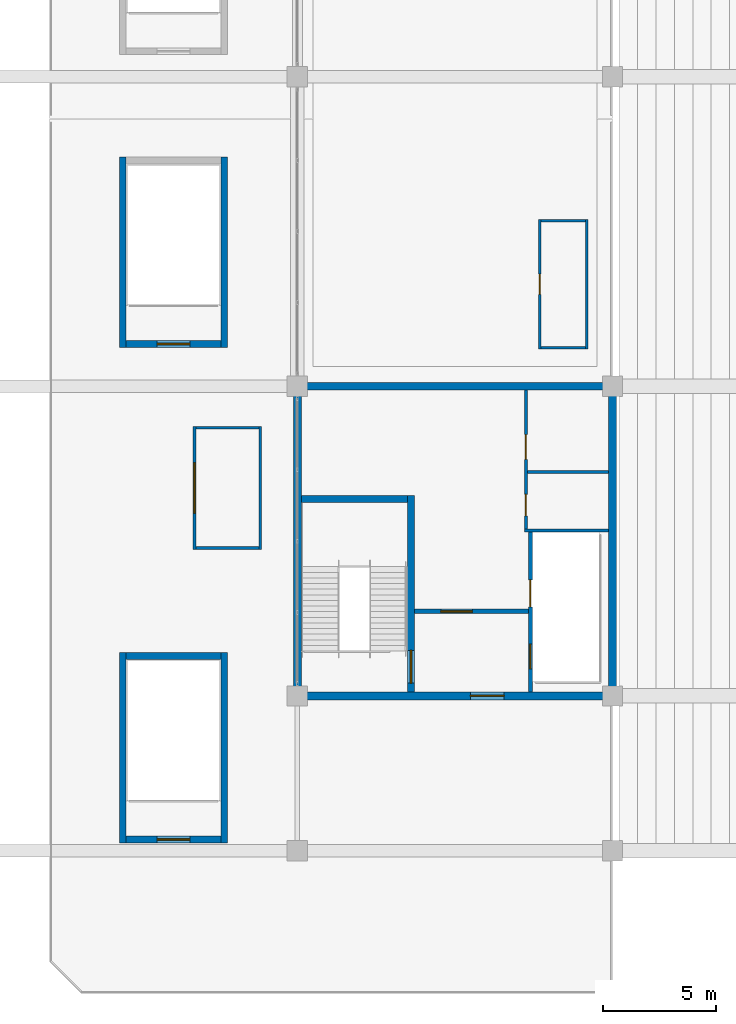
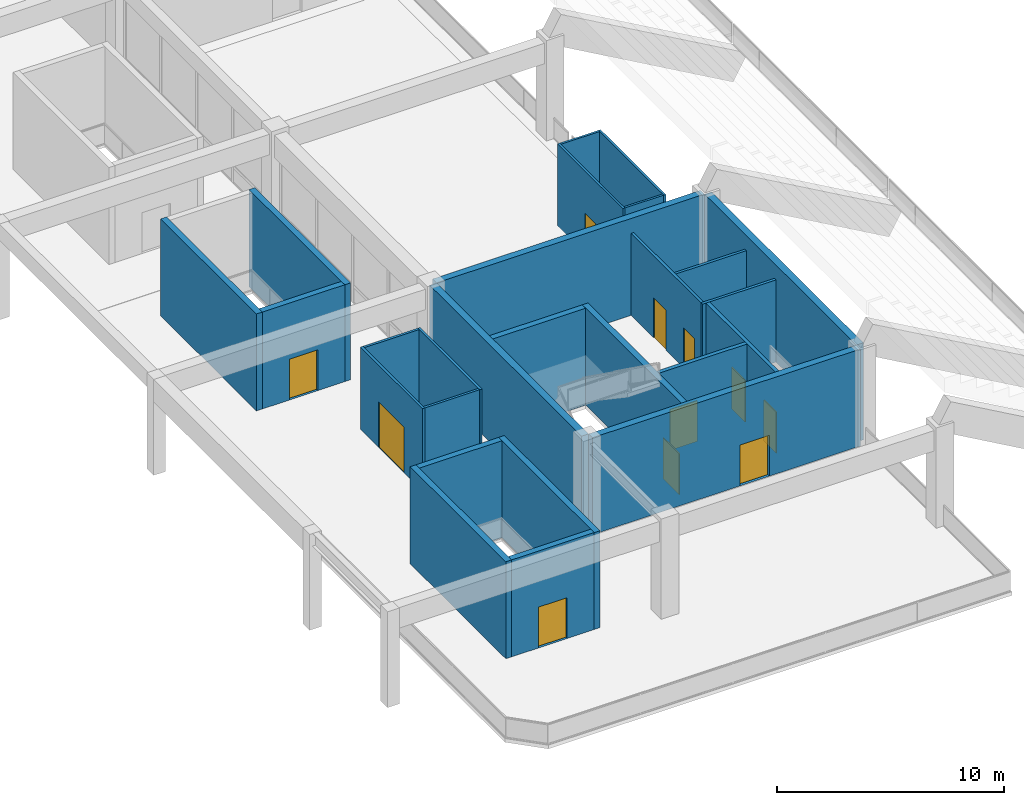
# One storey, part 69 of 90: 26 walls, 11 doors, 11 openings.
"""IFC4 building model written with IfcOpenShell, lengths in metres."""

from ifc_helpers import new_model, si_unit, direction, frame, frame_2d, origin, place, context, subcontext, project, spatial, rectangle, extrude, material, layer, layer_set, type_object, element, fill, save


model = new_model("IFC4")

# Units and contexts
model_context = context("Model", 3, precision=1e-05, world=origin(), true_north=direction((0.0, 1.0)))
body_context = subcontext(model_context, "Body", "Model", "MODEL_VIEW")
ifc_project = project(units=[si_unit("LENGTHUNIT", "METRE"), si_unit("AREAUNIT", "SQUARE_METRE"), si_unit("VOLUMEUNIT", "CUBIC_METRE"), si_unit("PLANEANGLEUNIT", "RADIAN"), si_unit("MASSUNIT", "GRAM", prefix="KILO")], contexts=[model_context])

# Site, building, storey
site_placement = place(None, origin())
site = spatial("IfcSite", under=ifc_project, at=site_placement, CompositionType="ELEMENT")
building_placement = place(site_placement, origin())
building = spatial("IfcBuilding", under=site, at=building_placement, Name="Linyun Crest Stadium", CompositionType="ELEMENT")
storey_placement = place(building_placement, frame((0.0, 0.0, 21.0)))
storey = spatial("IfcBuildingStorey", under=building, at=storey_placement, Name="L05", CompositionType="ELEMENT", Elevation=21.0)

# Walls
ifc_material_1 = material(Name="Concrete C50", Category="concrete")
ifc_layer_1 = layer(ifc_material_1, 0.35009765625)
ifc_layer_set_1 = layer_set([ifc_layer_1], Name="Concrete C50")
wall_type_1 = type_object("IfcWallType", Name="CW01", PredefinedType="SHEAR", material=ifc_layer_set_1)
for number, where, z_axis, x_axis, name in (
    (1, (-84.0, -38.949951171875, 0.0), (0.0, 0.0, 1.0), (0.0, 1.0, 0.0), "Core shear wall CW01 CORE-W1 L05.1"),
    (2, (-70.0, -38.949951171875, 0.0), (0.0, 0.0, 1.0), (0.0, 1.0, 0.0), "Core shear wall CW01 CORE-W1 L05.2"),
):
    element("IfcWall", number, at=place(storey_placement, frame(where, z_axis=z_axis, x_axis=x_axis)), inside=storey, type_object=wall_type_1, Name=name, PredefinedType="SHEAR", context=body_context, shape_type="SweptSolid", body=[
        extrude(rectangle(XDim=13.39990234375, YDim=0.35009765625, at=frame_2d((6.699951171875, 0.0))), origin(), (0.0, 0.0, 1.0), 5.219970703125),
    ])

# Wall, opening, door
wall_1_placement = place(storey_placement, frame((-83.824951171875, -39.125, 0.0), z_axis=(0.0, 0.0, 1.0), x_axis=(1.0, 0.0, 0.0)))
wall_1 = element("IfcWall", 3, at=wall_1_placement, inside=storey, type_object=wall_type_1, Name="Core shear wall CW01 CORE-W1 L05.3", PredefinedType="SHEAR", context=body_context, shape_type="SweptSolid", body=[
    extrude(rectangle(XDim=13.64990234375, YDim=0.35009765625, at=frame_2d((6.824951171875, 0.0))), origin(), (0.0, 0.0, 1.0), 5.219970703125),
])
opening_1_placement = place(wall_1_placement, frame((7.508056640625, 0.0, 0.0)))
opening_1 = element("IfcOpeningElement", 4, at=opening_1_placement, cuts=wall_1, Name="Opening D-L05-036", PredefinedType="OPENING", context=body_context, shape_type="SweptSolid", body=[
    extrude(rectangle(XDim=1.5, YDim=2.199951171875, at=frame_2d((0.75, 1.10009765625))), frame((0.0, 0.18505859375, 0.0), z_axis=(0.0, -1.0, 0.0), x_axis=(1.0, 0.0, 0.0)), (0.0, 0.0, 1.0), 0.3701171875),
])
ifc_material_2 = material(Name="Galvanized steel Class A fire door", Category="steel")
ifc_layer_2 = layer(ifc_material_2, 0.054931640625)
ifc_layer_set_2 = layer_set([ifc_layer_2], Name="Galvanized steel Class A fire door")
door_type_1 = type_object("IfcDoorType", Name="FD01", OperationType="NOTDEFINED", PredefinedType="DOOR", material=ifc_layer_set_2)
door_1_placement = place(opening_1_placement, origin())
door_1 = element("IfcDoor", 5, at=door_1_placement, inside=storey, type_object=door_type_1, Name="Door D-L05-036", OperationType="SINGLE_SWING_RIGHT", OverallHeight=2.199951171875, OverallWidth=1.5, PredefinedType="DOOR", context=body_context, shape_type="SweptSolid", body=[
    extrude(rectangle(XDim=1.5, YDim=2.199951171875, at=frame_2d((0.75, 1.10009765625))), frame((0.0, 0.02490234375, 0.0), z_axis=(0.0, -1.0, 0.0), x_axis=(1.0, 0.0, 0.0)), (0.0, 0.0, 1.0), 0.050048828125),
])
fill(opening_1, door_1)

# Wall
wall_2_placement = place(storey_placement, frame((-83.824951171875, -25.375, 0.0), z_axis=(0.0, 0.0, 1.0), x_axis=(1.0, 0.0, 0.0)))
element("IfcWall", 6, at=wall_2_placement, inside=storey, type_object=wall_type_1, Name="Core shear wall CW01 CORE-W1 L05.4", PredefinedType="SHEAR", context=body_context, shape_type="SweptSolid", body=[
    extrude(rectangle(XDim=13.64990234375, YDim=0.35009765625, at=frame_2d((6.824951171875, 0.0))), origin(), (0.0, 0.0, 1.0), 5.219970703125),
])

# Wall, opening, door
ifc_material_3 = material(Name="Autoclaved aerated concrete block with fireboard", Category="concrete")
ifc_layer_3 = layer(ifc_material_3, 0.199951171875)
ifc_layer_set_3 = layer_set([ifc_layer_3], Name="Autoclaved aerated concrete block with fireboard")
wall_type_2 = type_object("IfcWallType", Name="PW11", PredefinedType="PARTITIONING", material=ifc_layer_set_3)
wall_3_placement = place(storey_placement, frame((-78.800048828125, -35.375, 0.0), z_axis=(0.0, 0.0, 1.0), x_axis=(1.0, 0.0, 0.0)))
wall_3 = element("IfcWall", 7, at=wall_3_placement, inside=storey, type_object=wall_type_2, Name="Partition PW11 L05 16", PredefinedType="PARTITIONING", context=body_context, shape_type="SweptSolid", body=[
    extrude(rectangle(XDim=5.06005859375, YDim=0.199951171875, at=frame_2d((2.530029296875, 0.0))), origin(), (0.0, 0.0, 1.0), 4.419921875),
])
opening_2_placement = place(wall_3_placement, frame((1.169921875, 0.0, 0.0)))
opening_2 = element("IfcOpeningElement", 8, at=opening_2_placement, cuts=wall_3, Name="Opening D-L05-038", PredefinedType="OPENING", context=body_context, shape_type="SweptSolid", body=[
    extrude(rectangle(XDim=1.39990234375, YDim=2.199951171875, at=frame_2d((0.699951171875, 1.10009765625))), frame((0.0, 0.10986328125, 0.0), z_axis=(0.0, -1.0, 0.0), x_axis=(1.0, 0.0, 0.0)), (0.0, 0.0, 1.0), 0.219970703125),
])
ifc_material_4 = material(Name="Galvanized steel Class B fire door", Category="steel")
ifc_layer_4 = layer(ifc_material_4, 0.054931640625)
ifc_layer_set_4 = layer_set([ifc_layer_4], Name="Galvanized steel Class B fire door")
door_type_2 = type_object("IfcDoorType", Name="FD03", OperationType="NOTDEFINED", PredefinedType="DOOR", material=ifc_layer_set_4)
door_2_placement = place(opening_2_placement, origin())
door_2 = element("IfcDoor", 9, at=door_2_placement, inside=storey, type_object=door_type_2, Name="Door D-L05-038", OperationType="SINGLE_SWING_RIGHT", OverallHeight=2.199951171875, OverallWidth=1.39990234375, PredefinedType="DOOR", context=body_context, shape_type="SweptSolid", body=[
    extrude(rectangle(XDim=1.39990234375, YDim=2.199951171875, at=frame_2d((0.699951171875, 1.10009765625))), frame((0.0, 0.02490234375, 0.0), z_axis=(0.0, -1.0, 0.0), x_axis=(1.0, 0.0, 0.0)), (0.0, 0.0, 1.0), 0.050048828125),
])
fill(opening_2, door_2)

# Wall, openings, doors
ifc_material_5 = material(Name="Autoclaved aerated concrete block fire partition", Category="concrete")
ifc_layer_5 = layer(ifc_material_5, 0.179931640625)
ifc_layer_set_5 = layer_set([ifc_layer_5], Name="Autoclaved aerated concrete block fire partition")
wall_type_3 = type_object("IfcWallType", Name="PW12", PredefinedType="PARTITIONING", material=ifc_layer_set_5)
wall_4_placement = place(storey_placement, frame((-73.64990234375, -38.949951171875, 0.0), z_axis=(0.0, 0.0, 1.0), x_axis=(0.0, 1.0, 0.0)))
wall_4 = element("IfcWall", 10, at=wall_4_placement, inside=storey, type_object=wall_type_3, Name="Partition PW12 L05 17", PredefinedType="PARTITIONING", context=body_context, shape_type="SweptSolid", body=[
    extrude(rectangle(XDim=7.10498046875, YDim=0.179931640625, at=frame_2d((3.552490234375, 0.0))), origin(), (0.0, 0.0, 1.0), 4.419921875),
])
opening_3_placement = place(wall_4_placement, frame((1.02490234375, 0.0, 0.0)))
opening_3 = element("IfcOpeningElement", 11, at=opening_3_placement, cuts=wall_4, Name="Opening LD011", PredefinedType="OPENING", context=body_context, shape_type="SweptSolid", body=[
    extrude(rectangle(XDim=1.10009765625, YDim=2.199951171875, at=frame_2d((0.550048828125, 1.10009765625))), frame((0.0, 0.099853515625, 0.0), z_axis=(0.0, -1.0, 0.0), x_axis=(1.0, 0.0, 0.0)), (0.0, 0.0, 1.0), 0.199951171875),
])
opening_4_placement = place(wall_4_placement, frame((3.77490234375, 0.0, 0.0)))
opening_4 = element("IfcOpeningElement", 12, at=opening_4_placement, cuts=wall_4, Name="Opening LD012", PredefinedType="OPENING", context=body_context, shape_type="SweptSolid", body=[
    extrude(rectangle(XDim=1.199951171875, YDim=2.25, at=frame_2d((0.60009765625, 1.125))), frame((0.0, 0.099853515625, 0.0), z_axis=(0.0, -1.0, 0.0), x_axis=(1.0, 0.0, 0.0)), (0.0, 0.0, 1.0), 0.199951171875),
])
ifc_material_6 = material(Name="Brushed stainless sliding lift door")
ifc_layer_6 = layer(ifc_material_6, 0.050048828125)
ifc_layer_set_6 = layer_set([ifc_layer_6], Name="Brushed stainless sliding lift door")
door_type_3 = type_object("IfcDoorType", Name="LD01", OperationType="NOTDEFINED", PredefinedType="DOOR", material=ifc_layer_set_6)
door_3_placement = place(opening_3_placement, origin())
door_3 = element("IfcDoor", 13, at=door_3_placement, inside=storey, type_object=door_type_3, Name="Lift landing door LD011", OperationType="DOUBLE_DOOR_SLIDING", OverallHeight=2.199951171875, OverallWidth=1.10009765625, PredefinedType="DOOR", context=body_context, shape_type="SweptSolid", body=[
    extrude(rectangle(XDim=1.10009765625, YDim=2.199951171875, at=frame_2d((0.550048828125, 1.10009765625))), frame((0.0, 0.02490234375, 0.0), z_axis=(0.0, -1.0, 0.0), x_axis=(1.0, 0.0, 0.0)), (0.0, 0.0, 1.0), 0.050048828125),
])
fill(opening_3, door_3)
ifc_material_7 = material(Name="Brushed stainless sliding lift door")
ifc_layer_7 = layer(ifc_material_7, 0.050048828125)
ifc_layer_set_7 = layer_set([ifc_layer_7], Name="Brushed stainless sliding lift door")
door_type_4 = type_object("IfcDoorType", Name="LD02", OperationType="NOTDEFINED", PredefinedType="DOOR", material=ifc_layer_set_7)
door_4_placement = place(opening_4_placement, origin())
door_4 = element("IfcDoor", 14, at=door_4_placement, inside=storey, type_object=door_type_4, Name="Lift landing door LD012", OperationType="DOUBLE_DOOR_SLIDING", OverallHeight=2.25, OverallWidth=1.199951171875, PredefinedType="DOOR", context=body_context, shape_type="SweptSolid", body=[
    extrude(rectangle(XDim=1.199951171875, YDim=2.25, at=frame_2d((0.60009765625, 1.125))), frame((0.0, 0.02490234375, 0.0), z_axis=(0.0, -1.0, 0.0), x_axis=(1.0, 0.0, 0.0)), (0.0, 0.0, 1.0), 0.050048828125),
])
fill(opening_4, door_4)

ifc_material_8 = material(Name="Moisture-resistant ceramic-tiled wet-room wall")
ifc_layer_8 = layer(ifc_material_8, 0.139892578125)
ifc_layer_set_8 = layer_set([ifc_layer_8], Name="Moisture-resistant ceramic-tiled wet-room wall")
wall_type_4 = type_object("IfcWallType", Name="PW15", PredefinedType="PARTITIONING", material=ifc_layer_set_8)
wall_5_placement = place(storey_placement, frame((-73.85009765625, -31.705078125, 0.0), z_axis=(0.0, 0.0, 1.0), x_axis=(0.0, 1.0, 0.0)))
wall_5 = element("IfcWall", 15, at=wall_5_placement, inside=storey, type_object=wall_type_4, Name="Partition PW15 L05 18", PredefinedType="PARTITIONING", context=body_context, shape_type="SweptSolid", body=[
    extrude(rectangle(XDim=6.155029296875, YDim=0.139892578125, at=frame_2d((3.07763671875, 0.0))), origin(), (0.0, 0.0, 1.0), 4.419921875),
])
opening_5_placement = place(wall_5_placement, frame((0.580078125, 0.0, 0.0)))
opening_5 = element("IfcOpeningElement", 16, at=opening_5_placement, cuts=wall_5, Name="Opening D-L05-041", PredefinedType="OPENING", context=body_context, shape_type="SweptSolid", body=[
    extrude(rectangle(XDim=0.949951171875, YDim=2.14990234375, at=frame_2d((0.47509765625, 1.074951171875))), frame((0.0, 0.079833984375, 0.0), z_axis=(0.0, -1.0, 0.0), x_axis=(1.0, 0.0, 0.0)), (0.0, 0.0, 1.0), 0.159912109375),
])
opening_6_placement = place(wall_5_placement, frame((3.080078125, 0.0, 0.0)))
opening_6 = element("IfcOpeningElement", 17, at=opening_6_placement, cuts=wall_5, Name="Opening D-L05-042", PredefinedType="OPENING", context=body_context, shape_type="SweptSolid", body=[
    extrude(rectangle(XDim=1.10009765625, YDim=2.14990234375, at=frame_2d((0.550048828125, 1.074951171875))), frame((0.0, 0.079833984375, 0.0), z_axis=(0.0, -1.0, 0.0), x_axis=(1.0, 0.0, 0.0)), (0.0, 0.0, 1.0), 0.159912109375),
])
ifc_material_9 = material(Name="Moisture-resistant laminate leaf")
ifc_layer_9 = layer(ifc_material_9, 0.044921875)
ifc_layer_set_9 = layer_set([ifc_layer_9], Name="Moisture-resistant laminate leaf")
door_type_5 = type_object("IfcDoorType", Name="ID02", OperationType="NOTDEFINED", PredefinedType="DOOR", material=ifc_layer_set_9)
door_5_placement = place(opening_5_placement, origin())
door_5 = element("IfcDoor", 18, at=door_5_placement, inside=storey, type_object=door_type_5, Name="Door D-L05-041", OperationType="SINGLE_SWING_LEFT", OverallHeight=2.14990234375, OverallWidth=0.949951171875, PredefinedType="DOOR", context=body_context, shape_type="SweptSolid", body=[
    extrude(rectangle(XDim=0.949951171875, YDim=2.14990234375, at=frame_2d((0.47509765625, 1.074951171875))), frame((0.0, 0.02490234375, 0.0), z_axis=(0.0, -1.0, 0.0), x_axis=(1.0, 0.0, 0.0)), (0.0, 0.0, 1.0), 0.050048828125),
])
fill(opening_5, door_5)
ifc_material_10 = material(Name="Moisture-resistant laminate leaf")
ifc_layer_10 = layer(ifc_material_10, 0.044921875)
ifc_layer_set_10 = layer_set([ifc_layer_10], Name="Moisture-resistant laminate leaf")
door_type_6 = type_object("IfcDoorType", Name="ID03", OperationType="NOTDEFINED", PredefinedType="DOOR", material=ifc_layer_set_10)
door_6_placement = place(opening_6_placement, origin())
door_6 = element("IfcDoor", 19, at=door_6_placement, inside=storey, type_object=door_type_6, Name="Door D-L05-042", OperationType="SINGLE_SWING_RIGHT", OverallHeight=2.14990234375, OverallWidth=1.10009765625, PredefinedType="DOOR", context=body_context, shape_type="SweptSolid", body=[
    extrude(rectangle(XDim=1.10009765625, YDim=2.14990234375, at=frame_2d((0.550048828125, 1.074951171875))), frame((0.0, 0.02490234375, 0.0), z_axis=(0.0, -1.0, 0.0), x_axis=(1.0, 0.0, 0.0)), (0.0, 0.0, 1.0), 0.050048828125),
])
fill(opening_6, door_6)

# Walls
wall_6_placement = place(storey_placement, frame((-73.919921875, -31.77490234375, 0.0), z_axis=(0.0, 0.0, 1.0), x_axis=(1.0, 0.0, 0.0)))
element("IfcWall", 20, at=wall_6_placement, inside=storey, type_object=wall_type_4, Name="Enclosure partition PW15 L05 11", PredefinedType="PARTITIONING", context=body_context, shape_type="SweptSolid", body=[
    extrude(rectangle(XDim=3.744873046875, YDim=0.139892578125, at=frame_2d((1.87255859375, 0.0))), origin(), (0.0, 0.0, 1.0), 4.419921875),
])
wall_7_placement = place(storey_placement, frame((-73.780029296875, -29.175048828125, 0.0), z_axis=(0.0, 0.0, 1.0), x_axis=(1.0, 0.0, 0.0)))
element("IfcWall", 21, at=wall_7_placement, inside=storey, type_object=wall_type_4, Name="Enclosure partition PW15 L05 12", PredefinedType="PARTITIONING", context=body_context, shape_type="SweptSolid", body=[
    extrude(rectangle(XDim=3.60498046875, YDim=0.139892578125, at=frame_2d((1.802490234375, 0.0))), origin(), (0.0, 0.0, 1.0), 4.419921875),
])

# Wall, opening, door
ifc_material_11 = material(Name="Steel-stud hospitality suite partition", Category="steel")
ifc_layer_11 = layer(ifc_material_11, 0.125)
ifc_layer_set_11 = layer_set([ifc_layer_11], Name="Steel-stud hospitality suite partition")
wall_type_5 = type_object("IfcWallType", Name="PW17", PredefinedType="PARTITIONING", material=ifc_layer_set_11)
wall_8_placement = place(storey_placement, frame((-88.56689453125, -32.6259765625, 0.0), z_axis=(0.0, 0.0, 1.0), x_axis=(0.0, 1.0, 0.0)))
wall_8 = element("IfcWall", 22, at=wall_8_placement, inside=storey, type_object=wall_type_5, Name="Partition PW17 L05 228", PredefinedType="PARTITIONING", context=body_context, shape_type="SweptSolid", body=[
    extrude(rectangle(XDim=5.469970703125, YDim=0.125, at=frame_2d((2.73486328125, 0.0))), origin(), (0.0, 0.0, 1.0), 4.419921875),
])
opening_7_placement = place(wall_8_placement, frame((1.610107421875, 0.0, 0.0)))
opening_7 = element("IfcOpeningElement", 23, at=opening_7_placement, cuts=wall_8, Name="Opening D-L05-491", PredefinedType="OPENING", context=body_context, shape_type="SweptSolid", body=[
    extrude(rectangle(XDim=2.25, YDim=2.449951171875, at=frame_2d((1.125, 1.22509765625))), frame((0.0, 0.072509765625, 0.0), z_axis=(0.0, -1.0, 0.0), x_axis=(1.0, 0.0, 0.0)), (0.0, 0.0, 1.0), 0.14501953125),
])
ifc_material_12 = material(Name="Double-leaf anodized aluminium door", Category="aluminium")
ifc_layer_12 = layer(ifc_material_12, 0.054931640625)
ifc_layer_set_12 = layer_set([ifc_layer_12], Name="Double-leaf anodized aluminium door")
door_type_7 = type_object("IfcDoorType", Name="ID10", OperationType="NOTDEFINED", PredefinedType="DOOR", material=ifc_layer_set_12)
door_7_placement = place(opening_7_placement, origin())
door_7 = element("IfcDoor", 24, at=door_7_placement, inside=storey, type_object=door_type_7, Name="Door D-L05-491", OperationType="DOUBLE_DOOR_SINGLE_SWING", OverallHeight=2.449951171875, OverallWidth=2.25, PredefinedType="DOOR", context=body_context, shape_type="SweptSolid", body=[
    extrude(rectangle(XDim=2.25, YDim=2.449951171875, at=frame_2d((1.125, 1.22509765625))), frame((0.0, 0.02490234375, 0.0), z_axis=(0.0, -1.0, 0.0), x_axis=(1.0, 0.0, 0.0)), (0.0, 0.0, 1.0), 0.050048828125),
])
fill(opening_7, door_7)

# Walls
wall_9_placement = place(storey_placement, frame((-85.64697265625, -32.6259765625, 0.0), z_axis=(0.0, 0.0, 1.0), x_axis=(0.0, 1.0, 0.0)))
element("IfcWall", 25, at=wall_9_placement, inside=storey, type_object=wall_type_5, Name="Enclosure partition PW17 L05 400", PredefinedType="PARTITIONING", context=body_context, shape_type="SweptSolid", body=[
    extrude(rectangle(XDim=5.469970703125, YDim=0.125, at=frame_2d((2.73486328125, 0.0))), origin(), (0.0, 0.0, 1.0), 4.419921875),
])
for number, where, z_axis, x_axis, name in (
    (26, (-88.50390625, -32.56298828125, 0.0), (0.0, 0.0, 1.0), (1.0, 0.0, 0.0), "Enclosure partition PW17 L05 401"),
    (27, (-88.50390625, -27.218994140625, 0.0), (0.0, 0.0, 1.0), (1.0, 0.0, 0.0), "Enclosure partition PW17 L05 402"),
):
    element("IfcWall", number, at=place(storey_placement, frame(where, z_axis=z_axis, x_axis=x_axis)), inside=storey, type_object=wall_type_5, Name=name, PredefinedType="PARTITIONING", context=body_context, shape_type="SweptSolid", body=[
        extrude(rectangle(XDim=2.7939453125, YDim=0.125, at=frame_2d((1.39697265625, 0.0))), origin(), (0.0, 0.0, 1.0), 4.419921875),
    ])

# Wall, opening, door
ifc_material_13 = material(Name="Lightweight demountable office partition")
ifc_layer_13 = layer(ifc_material_13, 0.110107421875)
ifc_layer_set_13 = layer_set([ifc_layer_13], Name="Lightweight demountable office partition")
wall_type_6 = type_object("IfcWallType", Name="PW18", PredefinedType="PARTITIONING", material=ifc_layer_set_13)
wall_10_placement = place(storey_placement, frame((-73.23095703125, -23.72509765625, 0.0), z_axis=(0.0, 0.0, 1.0), x_axis=(0.0, 1.0, 0.0)))
wall_10 = element("IfcWall", 28, at=wall_10_placement, inside=storey, type_object=wall_type_6, Name="Partition PW18 L05 229", PredefinedType="PARTITIONING", context=body_context, shape_type="SweptSolid", body=[
    extrude(rectangle(XDim=5.760009765625, YDim=0.110107421875, at=frame_2d((2.8798828125, 0.0))), origin(), (0.0, 0.0, 1.0), 4.419921875),
])
opening_8_placement = place(wall_10_placement, frame((2.429931640625, 0.0, 0.0)))
opening_8 = element("IfcOpeningElement", 29, at=opening_8_placement, cuts=wall_10, Name="Opening D-L05-492", PredefinedType="OPENING", context=body_context, shape_type="SweptSolid", body=[
    extrude(rectangle(XDim=0.89990234375, YDim=2.14990234375, at=frame_2d((0.449951171875, 1.074951171875))), frame((0.0, 0.06494140625, 0.0), z_axis=(0.0, -1.0, 0.0), x_axis=(1.0, 0.0, 0.0)), (0.0, 0.0, 1.0), 0.130126953125),
])
ifc_material_14 = material(Name="Acoustic glazed booth door")
ifc_layer_14 = layer(ifc_material_14, 0.050048828125)
ifc_layer_set_14 = layer_set([ifc_layer_14], Name="Acoustic glazed booth door")
door_type_8 = type_object("IfcDoorType", Name="ID11", OperationType="NOTDEFINED", PredefinedType="DOOR", material=ifc_layer_set_14)
door_8_placement = place(opening_8_placement, origin())
door_8 = element("IfcDoor", 30, at=door_8_placement, inside=storey, type_object=door_type_8, Name="Door D-L05-492", OperationType="SINGLE_SWING_RIGHT", OverallHeight=2.14990234375, OverallWidth=0.89990234375, PredefinedType="DOOR", context=body_context, shape_type="SweptSolid", body=[
    extrude(rectangle(XDim=0.89990234375, YDim=2.14990234375, at=frame_2d((0.449951171875, 1.074951171875))), frame((0.0, 0.02490234375, 0.0), z_axis=(0.0, -1.0, 0.0), x_axis=(1.0, 0.0, 0.0)), (0.0, 0.0, 1.0), 0.050048828125),
])
fill(opening_8, door_8)

# Walls
wall_11_placement = place(storey_placement, frame((-71.15087890625, -23.72509765625, 0.0), z_axis=(0.0, 0.0, 1.0), x_axis=(0.0, 1.0, 0.0)))
element("IfcWall", 31, at=wall_11_placement, inside=storey, type_object=wall_type_6, Name="Enclosure partition PW18 L05 403", PredefinedType="PARTITIONING", context=body_context, shape_type="SweptSolid", body=[
    extrude(rectangle(XDim=5.760009765625, YDim=0.110107421875, at=frame_2d((2.8798828125, 0.0))), origin(), (0.0, 0.0, 1.0), 4.419921875),
])
for number, where, z_axis, x_axis, name in (
    (32, (-73.176025390625, -23.669921875, 0.0), (0.0, 0.0, 1.0), (1.0, 0.0, 0.0), "Enclosure partition PW18 L05 404"),
    (33, (-73.176025390625, -18.02001953125, 0.0), (0.0, 0.0, 1.0), (1.0, 0.0, 0.0), "Enclosure partition PW18 L05 405"),
):
    element("IfcWall", number, at=place(storey_placement, frame(where, z_axis=z_axis, x_axis=x_axis)), inside=storey, type_object=wall_type_6, Name=name, PredefinedType="PARTITIONING", context=body_context, shape_type="SweptSolid", body=[
        extrude(rectangle(XDim=1.969970703125, YDim=0.110107421875, at=frame_2d((0.98486328125, 0.0))), origin(), (0.0, 0.0, 1.0), 4.419921875),
    ])

# Wall, opening, door
ifc_material_15 = material(Name="Concrete C50", Category="concrete")
ifc_layer_15 = layer(ifc_material_15, 0.300048828125)
ifc_layer_set_15 = layer_set([ifc_layer_15], Name="Concrete C50")
wall_type_7 = type_object("IfcWallType", Name="SW01", PredefinedType="SHEAR", material=ifc_layer_set_15)
wall_12_placement = place(storey_placement, frame((-78.949951171875, -38.949951171875, 0.0), z_axis=(0.0, 0.0, 1.0), x_axis=(0.0, 1.0, 0.0)))
wall_12 = element("IfcWall", 34, at=wall_12_placement, inside=storey, type_object=wall_type_7, Name="Core stair east bearing wall SW01 1 L05", PredefinedType="SHEAR", context=body_context, shape_type="SweptSolid", body=[
    extrude(rectangle(XDim=8.724853515625, YDim=0.300048828125, at=frame_2d((4.3623046875, 0.0))), origin(), (0.0, 0.0, 1.0), 5.219970703125),
])
opening_9_placement = place(wall_12_placement, frame((0.39501953125, 0.0, 0.0)))
opening_9 = element("IfcOpeningElement", 35, at=opening_9_placement, cuts=wall_12, Name="Opening D-L05-037", PredefinedType="OPENING", context=body_context, shape_type="SweptSolid", body=[
    extrude(rectangle(XDim=1.449951171875, YDim=2.199951171875, at=frame_2d((0.72509765625, 1.10009765625))), frame((0.0, 0.159912109375, 0.0), z_axis=(0.0, -1.0, 0.0), x_axis=(1.0, 0.0, 0.0)), (0.0, 0.0, 1.0), 0.320068359375),
])
ifc_material_16 = material(Name="Galvanized steel Class A fire door", Category="steel")
ifc_layer_16 = layer(ifc_material_16, 0.054931640625)
ifc_layer_set_16 = layer_set([ifc_layer_16], Name="Galvanized steel Class A fire door")
door_type_9 = type_object("IfcDoorType", Name="FD02", OperationType="NOTDEFINED", PredefinedType="DOOR", material=ifc_layer_set_16)
door_9_placement = place(opening_9_placement, origin())
door_9 = element("IfcDoor", 36, at=door_9_placement, inside=storey, type_object=door_type_9, Name="Door D-L05-037", OperationType="SINGLE_SWING_LEFT", OverallHeight=2.199951171875, OverallWidth=1.449951171875, PredefinedType="DOOR", context=body_context, shape_type="SweptSolid", body=[
    extrude(rectangle(XDim=1.449951171875, YDim=2.199951171875, at=frame_2d((0.72509765625, 1.10009765625))), frame((0.0, 0.02490234375, 0.0), z_axis=(0.0, -1.0, 0.0), x_axis=(1.0, 0.0, 0.0)), (0.0, 0.0, 1.0), 0.050048828125),
])
fill(opening_9, door_9)

# Wall
wall_13_placement = place(storey_placement, frame((-83.824951171875, -30.375, 0.0), z_axis=(0.0, 0.0, 1.0), x_axis=(1.0, 0.0, 0.0)))
element("IfcWall", 37, at=wall_13_placement, inside=storey, type_object=wall_type_7, Name="Core stair bearing wall SW01 1 L05", PredefinedType="SHEAR", context=body_context, shape_type="SweptSolid", body=[
    extrude(rectangle(XDim=4.724853515625, YDim=0.300048828125, at=frame_2d((2.3623046875, 0.0))), origin(), (0.0, 0.0, 1.0), 5.219970703125),
])

# Wall, opening, door
wall_14_placement = place(storey_placement, frame((-91.60009765625, -45.5, 0.0), z_axis=(0.0, 0.0, 1.0), x_axis=(1.0, 0.0, 0.0)))
wall_14 = element("IfcWall", 38, at=wall_14_placement, inside=storey, type_object=wall_type_7, Name="Stair shaft wall SW01 STR-13 L05 S", PredefinedType="SHEAR", context=body_context, shape_type="SweptSolid", body=[
    extrude(rectangle(XDim=4.2001953125, YDim=0.300048828125, at=frame_2d((2.10009765625, 0.0))), origin(), (0.0, 0.0, 1.0), 5.219970703125),
])
opening_10_placement = place(wall_14_placement, frame((1.375, 0.0, 0.0)))
opening_10 = element("IfcOpeningElement", 39, at=opening_10_placement, cuts=wall_14, Name="Opening D-L05-545", PredefinedType="OPENING", context=body_context, shape_type="SweptSolid", body=[
    extrude(rectangle(XDim=1.449951171875, YDim=2.199951171875, at=frame_2d((0.72509765625, 1.10009765625))), frame((0.0, 0.159912109375, 0.0), z_axis=(0.0, -1.0, 0.0), x_axis=(1.0, 0.0, 0.0)), (0.0, 0.0, 1.0), 0.320068359375),
])
door_10_placement = place(opening_10_placement, origin())
door_10 = element("IfcDoor", 40, at=door_10_placement, inside=storey, type_object=door_type_9, Name="Door D-L05-545", OperationType="SINGLE_SWING_LEFT", OverallHeight=2.199951171875, OverallWidth=1.449951171875, PredefinedType="DOOR", context=body_context, shape_type="SweptSolid", body=[
    extrude(rectangle(XDim=1.449951171875, YDim=2.199951171875, at=frame_2d((0.72509765625, 1.10009765625))), frame((0.0, 0.02490234375, 0.0), z_axis=(0.0, -1.0, 0.0), x_axis=(1.0, 0.0, 0.0)), (0.0, 0.0, 1.0), 0.050048828125),
])
fill(opening_10, door_10)

# Walls
wall_15_placement = place(storey_placement, frame((-91.60009765625, -37.35009765625, 0.0), z_axis=(0.0, 0.0, 1.0), x_axis=(1.0, 0.0, 0.0)))
element("IfcWall", 41, at=wall_15_placement, inside=storey, type_object=wall_type_7, Name="Stair shaft wall SW01 STR-13 L05 N", PredefinedType="SHEAR", context=body_context, shape_type="SweptSolid", body=[
    extrude(rectangle(XDim=4.2001953125, YDim=0.300048828125, at=frame_2d((2.10009765625, 0.0))), origin(), (0.0, 0.0, 1.0), 5.219970703125),
])
for number, where, z_axis, x_axis, name in (
    (42, (-91.75, -45.64990234375, 0.0), (0.0, 0.0, 1.0), (0.0, 1.0, 0.0), "Stair shaft wall SW01 STR-13 L05 W"),
    (43, (-87.25, -45.64990234375, 0.0), (0.0, 0.0, 1.0), (0.0, 1.0, 0.0), "Stair shaft wall SW01 STR-13 L05 E"),
):
    element("IfcWall", number, at=place(storey_placement, frame(where, z_axis=z_axis, x_axis=x_axis)), inside=storey, type_object=wall_type_7, Name=name, PredefinedType="SHEAR", context=body_context, shape_type="SweptSolid", body=[
        extrude(rectangle(XDim=8.449951171875, YDim=0.300048828125, at=frame_2d((4.22509765625, 0.0))), origin(), (0.0, 0.0, 1.0), 5.219970703125),
    ])

# Wall, opening, door
wall_16_placement = place(storey_placement, frame((-91.60009765625, -23.5, 0.0), z_axis=(0.0, 0.0, 1.0), x_axis=(1.0, 0.0, 0.0)))
wall_16 = element("IfcWall", 44, at=wall_16_placement, inside=storey, type_object=wall_type_7, Name="Stair shaft wall SW01 STR-14 L05 S", PredefinedType="SHEAR", context=body_context, shape_type="SweptSolid", body=[
    extrude(rectangle(XDim=4.2001953125, YDim=0.300048828125, at=frame_2d((2.10009765625, 0.0))), origin(), (0.0, 0.0, 1.0), 5.219970703125),
])
opening_11_placement = place(wall_16_placement, frame((1.375, 0.0, 0.0)))
opening_11 = element("IfcOpeningElement", 45, at=opening_11_placement, cuts=wall_16, Name="Opening D-L05-550", PredefinedType="OPENING", context=body_context, shape_type="SweptSolid", body=[
    extrude(rectangle(XDim=1.449951171875, YDim=2.199951171875, at=frame_2d((0.72509765625, 1.10009765625))), frame((0.0, 0.159912109375, 0.0), z_axis=(0.0, -1.0, 0.0), x_axis=(1.0, 0.0, 0.0)), (0.0, 0.0, 1.0), 0.320068359375),
])
door_11_placement = place(opening_11_placement, origin())
door_11 = element("IfcDoor", 46, at=door_11_placement, inside=storey, type_object=door_type_9, Name="Door D-L05-550", OperationType="SINGLE_SWING_RIGHT", OverallHeight=2.199951171875, OverallWidth=1.449951171875, PredefinedType="DOOR", context=body_context, shape_type="SweptSolid", body=[
    extrude(rectangle(XDim=1.449951171875, YDim=2.199951171875, at=frame_2d((0.72509765625, 1.10009765625))), frame((0.0, 0.02490234375, 0.0), z_axis=(0.0, -1.0, 0.0), x_axis=(1.0, 0.0, 0.0)), (0.0, 0.0, 1.0), 0.050048828125),
])
fill(opening_11, door_11)

# Walls
for number, where, z_axis, x_axis, name in (
    (47, (-91.75, -23.64990234375, 0.0), (0.0, 0.0, 1.0), (0.0, 1.0, 0.0), "Stair shaft wall SW01 STR-14 L05 W"),
    (48, (-87.25, -23.64990234375, 0.0), (0.0, 0.0, 1.0), (0.0, 1.0, 0.0), "Stair shaft wall SW01 STR-14 L05 E"),
):
    element("IfcWall", number, at=place(storey_placement, frame(where, z_axis=z_axis, x_axis=x_axis)), inside=storey, type_object=wall_type_7, Name=name, PredefinedType="SHEAR", context=body_context, shape_type="SweptSolid", body=[
        extrude(rectangle(XDim=8.449951171875, YDim=0.300048828125, at=frame_2d((4.22509765625, 0.0))), origin(), (0.0, 0.0, 1.0), 5.219970703125),
    ])

save(model, "model.ifc")
